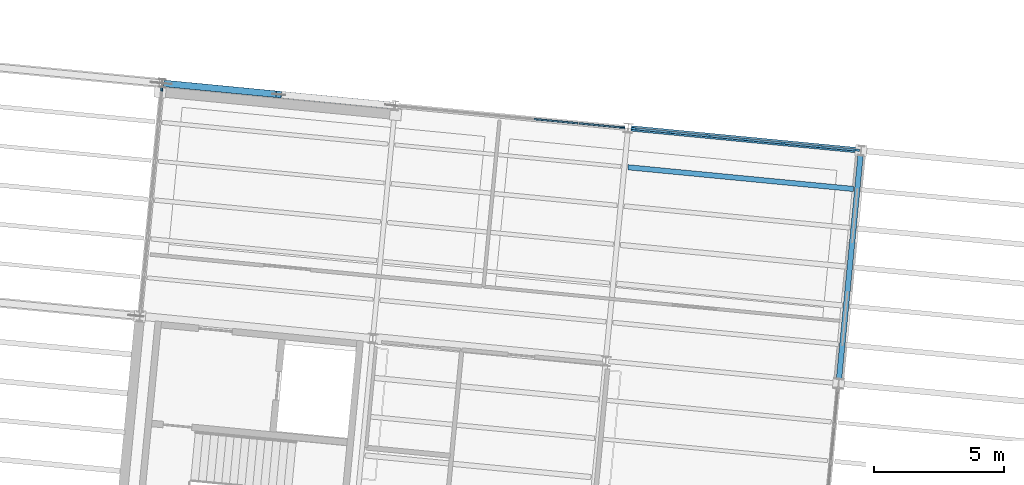
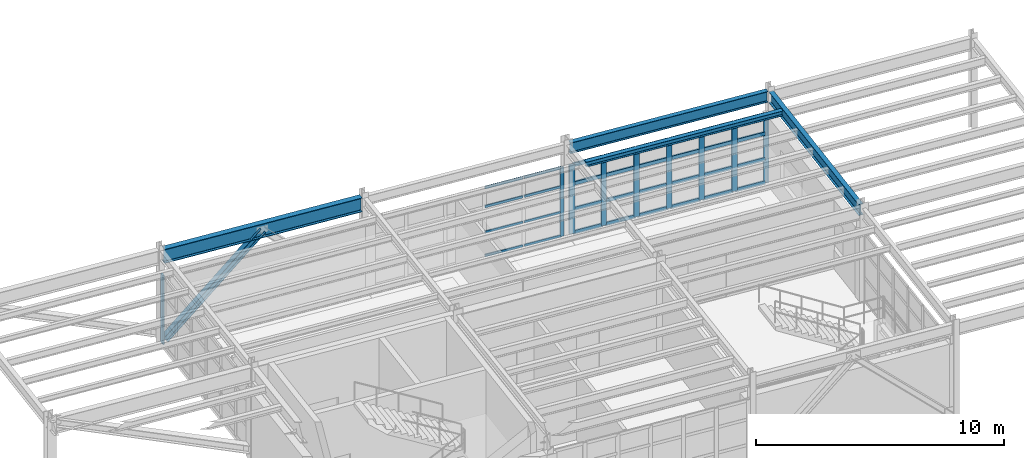
# One storey, part 49 of 109: 42 members, 4 beams, 3 elements without a shape of their own.
"""IFC4 building model written with IfcOpenShell, lengths in metres."""

import ifcopenshell
import ifcopenshell.guid

model = None  # the IFC model being written
_history = None  # IfcOwnerHistory: only IFC2X3 demands one
_inside = {}  # id of a spatial element -> (the spatial element, [elements in it])
_under = {}  # id of a project, library or spatial element -> (it, [spatial elements below it])
_declared = {}  # id of a project -> (the project, [libraries it declares])
_typed = {}  # id of a type object -> (the type object, [elements of that type])
_made_of = {}  # id of a material, layer set ... -> (it, [elements and type objects made of it])


def new_model(schema):
    """Start an empty IFC model of exactly this schema.

    Asked for "IFC4X3", IfcOpenShell would pick the latest addendum, in which some entities
    have other attributes; the version numbers below select the first issue.
    IFC2X3 requires an IfcOwnerHistory on every rooted entity: one is made here for all.
    """
    global model, _history
    if schema == "IFC4X3":
        model = ifcopenshell.file(schema_version=(4, 3, 0, 0))
    else:
        model = ifcopenshell.file(schema=schema)
    _inside.clear()
    _under.clear()
    _declared.clear()
    _typed.clear()
    _made_of.clear()
    _history = None
    if model.schema == "IFC2X3":
        org = make("IfcOrganization", Name="unknown")
        user = make(
            "IfcPersonAndOrganization",
            ThePerson=make("IfcPerson", FamilyName="unknown"),
            TheOrganization=org,
        )
        app = make(
            "IfcApplication",
            ApplicationDeveloper=org,
            Version="unknown",
            ApplicationFullName="unknown",
            ApplicationIdentifier="unknown",
        )
        _history = make(
            "IfcOwnerHistory",
            OwningUser=user,
            OwningApplication=app,
            ChangeAction="ADDED",
            CreationDate=0,
        )
    return model


def make(cls, **values):
    """One entity of the class cls with the attributes given. An attribute that is None is left unset."""
    return model.create_entity(
        cls, **{name: value for name, value in values.items() if value is not None}
    )


def rooted(cls, **values):
    """An entity with a GlobalId (a new one), such as an element, a storey or a relation."""
    return make(cls, GlobalId=ifcopenshell.guid.new(), OwnerHistory=_history, **values)


def si_unit(unit_type, name, prefix=None):
    """IfcSIUnit, for example si_unit("LENGTHUNIT", "METRE", prefix="MILLI")."""
    return make("IfcSIUnit", UnitType=unit_type, Prefix=prefix, Name=name)


def assignment(units):
    """IfcUnitAssignment: the units of a project."""
    return None if units is None else make("IfcUnitAssignment", Units=units)


def point(xyz):
    """IfcCartesianPoint."""
    return None if xyz is None else make("IfcCartesianPoint", Coordinates=xyz)


def direction(xyz):
    """IfcDirection."""
    return None if xyz is None else make("IfcDirection", DirectionRatios=xyz)


def frame(location, z_axis=None, x_axis=None):
    """IfcAxis2Placement3D, a coordinate frame: its origin and axes. An axis left out is left unset."""
    return make(
        "IfcAxis2Placement3D",
        Location=point(location),
        Axis=direction(z_axis),
        RefDirection=direction(x_axis),
    )


def frame_2d(location, x_axis=None):
    """IfcAxis2Placement2D, a coordinate frame in the plane: its origin and x axis."""
    return make(
        "IfcAxis2Placement2D", Location=point(location), RefDirection=direction(x_axis)
    )


def origin():
    """The frame at (0, 0, 0) with its axes left unset."""
    return frame((0.0, 0.0, 0.0))


def origin_2d():
    """The frame at (0, 0) in the plane with its x axis left unset."""
    return frame_2d((0.0, 0.0))


def place(relative_to, where):
    """IfcLocalPlacement: puts the frame where relative to a parent placement (None: the world)."""
    return make(
        "IfcLocalPlacement", PlacementRelTo=relative_to, RelativePlacement=where
    )


def context(
    kind, dimensions, precision=None, world=None, true_north=None, identifier=None
):
    """IfcGeometricRepresentationContext, for example the 3D "Model" context."""
    return make(
        "IfcGeometricRepresentationContext",
        ContextIdentifier=identifier,
        ContextType=kind,
        CoordinateSpaceDimension=dimensions,
        Precision=precision,
        WorldCoordinateSystem=world,
        TrueNorth=true_north,
    )


def subcontext(parent, identifier, kind, view, scale=None):
    """IfcGeometricRepresentationSubContext, for example "Body" below "Model"."""
    return make(
        "IfcGeometricRepresentationSubContext",
        ContextIdentifier=identifier,
        ContextType=kind,
        ParentContext=parent,
        TargetScale=scale,
        TargetView=view,
    )


def project(units=None, contexts=None):
    """IfcProject with its units and contexts."""
    return rooted(
        "IfcProject",
        Name="project",
        RepresentationContexts=contexts,
        UnitsInContext=assignment(units),
    )


def spatial(cls, under=None, at=None, **own):
    """A site, building, storey or space (cls), placed at a placement, below another one or the project."""
    s = rooted(cls, ObjectPlacement=at, **own)
    if under is not None:
        _under.setdefault(under.id(), (under, []))[1].append(s)
    return s


def profile(cls, at=None, kind="AREA", **sizes):
    """A parametric profile (cls). Its sizes go by their IFC names, for example OverallWidth=200.0."""
    return make(cls, ProfileType=kind, Position=at, **sizes)


def rectangle(**sizes):
    """IfcRectangleProfileDef."""
    return profile("IfcRectangleProfileDef", **sizes)


def i_section(**sizes):
    """IfcIShapeProfileDef."""
    return profile("IfcIShapeProfileDef", **sizes)


def extrude(swept, where, along, depth):
    """IfcExtrudedAreaSolid: the profile swept, set in the frame where, extruded along a direction by depth."""
    return make(
        "IfcExtrudedAreaSolid",
        SweptArea=swept,
        Position=where,
        ExtrudedDirection=direction(along),
        Depth=depth,
    )


def shape(context_of_items, identifier, shape_type, items):
    """IfcShapeRepresentation: the items that make up one representation, for example the "Body"."""
    return make(
        "IfcShapeRepresentation",
        ContextOfItems=context_of_items,
        RepresentationIdentifier=identifier,
        RepresentationType=shape_type,
        Items=items,
    )


def material(Name=None, Category=None):
    """IfcMaterial."""
    return make("IfcMaterial", Name=Name, Category=Category)


def layer(
    of_material, thickness, ventilated=None, Name=None, Category=None, Priority=None
):
    """IfcMaterialLayer: one layer of a wall or slab, of a material (None: an air gap)."""
    return make(
        "IfcMaterialLayer",
        Material=of_material,
        LayerThickness=thickness,
        IsVentilated=ventilated,
        Name=Name,
        Category=Category,
        Priority=Priority,
    )


def layer_set(layers, Name=None):
    """IfcMaterialLayerSet."""
    return make("IfcMaterialLayerSet", MaterialLayers=layers, LayerSetName=Name)


def material_profile(
    of_material, cross_section, Name=None, Category=None, Priority=None
):
    """IfcMaterialProfile: a cross section and its material."""
    return make(
        "IfcMaterialProfile",
        Name=Name,
        Material=of_material,
        Profile=cross_section,
        Priority=Priority,
        Category=Category,
    )


def profile_set(profiles, Name=None, composite=None):
    """IfcMaterialProfileSet."""
    return make(
        "IfcMaterialProfileSet",
        Name=Name,
        MaterialProfiles=profiles,
        CompositeProfile=composite,
    )


def made_of(thing, what):
    """Note that an element or type object is made of a material, layer set ...; save() writes the relation."""
    if what is not None:
        _made_of.setdefault(what.id(), (what, []))[1].append(thing)
    return thing


def type_object(cls, material=None, **own):
    """A type object (cls), such as IfcWallType, which elements share."""
    return made_of(rooted(cls, **own), material)


def element(
    cls,
    number,
    at=None,
    inside=None,
    cuts=None,
    type_object=None,
    material=None,
    context=None,
    identifier="Body",
    shape_type=None,
    held_by="IfcProductDefinitionShape",
    body=None,
    shapes=None,
    **own,
):
    """One element of the class cls, such as IfcWall. Its Tag is "e" and its number.

    at: its placement. inside: the storey or other place that contains it. cuts: it is an
    opening in that element (IfcRelVoidsElement). A single representation is given by context,
    identifier, shape_type and body (its items); several are given by shapes. held_by: the class
    of the entity that holds the representations. save() writes the other relations.
    """
    e = rooted(cls, Tag="e%d" % number, ObjectPlacement=at, **own)
    if body is not None:
        shapes = [shape(context, identifier, shape_type, body)]
    if shapes is not None:
        e.Representation = make(held_by, Representations=shapes)
    if inside is not None:
        _inside.setdefault(inside.id(), (inside, []))[1].append(e)
    if cuts is not None:
        rooted(
            "IfcRelVoidsElement", RelatingBuildingElement=cuts, RelatedOpeningElement=e
        )
    if type_object is not None:
        _typed.setdefault(type_object.id(), (type_object, []))[1].append(e)
    return made_of(e, material)


def aggregate(whole, parts):
    """IfcRelAggregates: a whole, such as a stair, and the parts it consists of."""
    return rooted("IfcRelAggregates", RelatingObject=whole, RelatedObjects=parts)


def save(model, path):
    """Write the relations noted so far, then the file.

    IfcRelAggregates (storeys below a building ...), IfcRelContainedInSpatialStructure (elements
    in a storey), IfcRelDefinesByType, IfcRelAssociatesMaterial and IfcRelDeclares: one each for
    every whole, place, type object, material and project.
    """
    for whole, parts in _under.values():
        aggregate(whole, parts)
    for where, things in _inside.values():
        rooted(
            "IfcRelContainedInSpatialStructure",
            RelatedElements=things,
            RelatingStructure=where,
        )
    for kind, things in _typed.values():
        rooted("IfcRelDefinesByType", RelatedObjects=things, RelatingType=kind)
    for what, things in _made_of.values():
        rooted("IfcRelAssociatesMaterial", RelatedObjects=things, RelatingMaterial=what)
    for by, libraries in _declared.values():
        rooted("IfcRelDeclares", RelatingContext=by, RelatedDefinitions=libraries)
    model.write(path)


model = new_model("IFC4")

# Units and contexts
model_context = context("Model", 3, precision=1e-05, world=origin(), true_north=direction((0.0, 1.0)))
body_context = subcontext(model_context, "Body", "Model", "MODEL_VIEW")
ifc_project = project(units=[si_unit("LENGTHUNIT", "METRE"), si_unit("AREAUNIT", "SQUARE_METRE"), si_unit("VOLUMEUNIT", "CUBIC_METRE"), si_unit("PLANEANGLEUNIT", "RADIAN"), si_unit("MASSUNIT", "GRAM", prefix="KILO")], contexts=[model_context])

# Site, building, storey
site_placement = place(None, origin())
site = spatial("IfcSite", under=ifc_project, at=site_placement, CompositionType="ELEMENT")
building_placement = place(site_placement, origin())
building = spatial("IfcBuilding", under=site, at=building_placement, Name="Vireo Bluff Cable Station", CompositionType="ELEMENT")
storey_placement = place(building_placement, frame((0.0, 0.0, 4.800048828125)))
storey = spatial("IfcBuildingStorey", under=building, at=storey_placement, Name="L01", CompositionType="ELEMENT", Elevation=4.800048828125)

# Beam
ifc_material_1 = material(Name="Steel ASTM A992 Gr. 50", Category="steel")
ifc_material_profile_1 = material_profile(ifc_material_1, i_section(OverallWidth=0.2099609375, OverallDepth=0.535888671875, WebThickness=0.010986328125, FlangeThickness=0.017333984375, FilletRadius=0.012939453125, at=origin_2d()), Name="W21X68")
ifc_profile_set_1 = profile_set([ifc_material_profile_1], Name="Steel ASTM A992 Gr. 50")
beam_type_1 = type_object("IfcBeamType", Name="BM-W21X68", PredefinedType="BEAM", material=ifc_profile_set_1)
beam_1_placement = place(storey_placement, frame((95.48779296875, 73.494140625, 4.27197265625), z_axis=(0.095846764416, 0.995396100932, 0.0), x_axis=(-0.995396100932, 0.095846764416, 0.0)))
element("IfcBeam", 1, at=beam_1_placement, inside=storey, type_object=beam_type_1, Name="V3 L01 beam 662", PredefinedType="BEAM", context=body_context, shape_type="SweptSolid", body=[
    extrude(i_section(OverallWidth=0.2099609375, OverallDepth=0.535888671875, WebThickness=0.010986328125, FlangeThickness=0.017333984375, FilletRadius=0.012939453125, at=origin_2d()), origin(), (0.0, 0.0, 1.0), 8.759765625),
])

# Member
ifc_material_profile_2 = material_profile(ifc_material_1, i_section(OverallWidth=0.25390625, OverallDepth=0.305908203125, WebThickness=0.0087890625, FlangeThickness=0.0146484375, FilletRadius=0.010986328125, at=origin_2d()), Name="W12X53")
ifc_profile_set_2 = profile_set([ifc_material_profile_2], Name="Steel ASTM A992 Gr. 50")
member_type_1 = type_object("IfcMemberType", Name="BRC-04", PredefinedType="BRACE", material=ifc_profile_set_2)
member_1_placement = place(storey_placement, frame((69.62255859375, 84.90576171875, 0.0400390625), z_axis=(0.720263828031, -0.069360246565, 0.690224002934), x_axis=(0.095854965264, 0.995395311238, 0.0)))
element("IfcMember", 2, at=member_1_placement, inside=storey, type_object=member_type_1, Name="V3 L01 concentric brace 51L", PredefinedType="BRACE", context=body_context, shape_type="SweptSolid", body=[
    extrude(i_section(OverallWidth=0.25390625, OverallDepth=0.305908203125, WebThickness=0.0087890625, FlangeThickness=0.0146484375, FilletRadius=0.010986328125, at=origin_2d()), origin(), (0.0, 0.0, 1.0), 5.997802734375),
])

# Curtain wall, member
ifc_material_2 = material(Name="Anodized Aluminium 6063-T6", Category="aluminium")
ifc_layer_1 = layer(ifc_material_2, 0.179931640625, Name="Anodized Aluminium 6063-T6")
ifc_layer_set_1 = layer_set([ifc_layer_1], Name="Anodized Aluminium 6063-T6")
curtain_wall_type_1 = type_object("IfcCurtainWallType", Name="CW-UNIT-1500", PredefinedType="USERDEFINED", material=ifc_layer_set_1)
curtain_wall_1_placement = place(storey_placement, origin())
curtain_wall_1 = element("IfcCurtainWall", 3, at=curtain_wall_1_placement, inside=storey, type_object=curtain_wall_type_1, Name="V3 L01 west curtain wall CW-073", ObjectType="UNITISED CURTAIN WALL", PredefinedType="USERDEFINED")
ifc_material_profile_3 = material_profile(ifc_material_2, rectangle(XDim=0.074951171875, YDim=0.2099609375, at=origin_2d()), Name="ALU-M-75X210")
ifc_profile_set_3 = profile_set([ifc_material_profile_3], Name="Anodized Aluminium 6063-T6")
member_type_2 = type_object("IfcMemberType", Name="CWM-02", PredefinedType="MULLION", material=ifc_profile_set_3)
member_2_placement = place(storey_placement, frame((69.444580078125, 84.727294921875, 0.0), z_axis=(0.0, 0.0, 1.0), x_axis=(-0.995396201203, 0.095845723073, 0.0)))
member_2 = element("IfcMember", 4, at=member_2_placement, type_object=member_type_2, Name="CW-073 mullion 7", PredefinedType="MULLION", context=body_context, shape_type="SweptSolid", body=[
    extrude(rectangle(XDim=0.074951171875, YDim=0.2099609375, at=origin_2d()), origin(), (0.0, 0.0, 1.0), 3.39990234375),
])
aggregate(curtain_wall_1, [member_2])

ifc_layer_2 = layer(ifc_material_2, 0.179931640625, Name="Anodized Aluminium 6063-T6")
ifc_layer_set_2 = layer_set([ifc_layer_2], Name="Anodized Aluminium 6063-T6")
curtain_wall_type_2 = type_object("IfcCurtainWallType", Name="CW-UNIT-1650", PredefinedType="USERDEFINED", material=ifc_layer_set_2)
curtain_wall_2_placement = place(storey_placement, origin())
curtain_wall_2 = element("IfcCurtainWall", 5, at=curtain_wall_2_placement, inside=storey, type_object=curtain_wall_type_2, Name="V3 L01 north curtain wall CW-074", ObjectType="UNITISED CURTAIN WALL", PredefinedType="USERDEFINED")
ifc_material_profile_4 = material_profile(ifc_material_2, rectangle(XDim=0.06005859375, YDim=0.159912109375, at=origin_2d()), Name="ALU-M-60X160")
ifc_profile_set_4 = profile_set([ifc_material_profile_4], Name="Anodized Aluminium 6063-T6")
member_type_3 = type_object("IfcMemberType", Name="CWM-03", PredefinedType="MULLION", material=ifc_profile_set_4)
member_3_placement = place(storey_placement, frame((87.16455078125, 83.216552734375, 0.0), z_axis=(0.0, 0.0, 1.0), x_axis=(0.095845775904, 0.995396196116, 0.0)))
member_3 = element("IfcMember", 6, at=member_3_placement, type_object=member_type_3, Name="CW-074 mullion 6", PredefinedType="MULLION", context=body_context, shape_type="SweptSolid", body=[
    extrude(rectangle(XDim=0.06005859375, YDim=0.159912109375, at=origin_2d()), origin(), (0.0, 0.0, 1.0), 3.39990234375),
])

# Curtain wall, members
ifc_layer_3 = layer(ifc_material_2, 0.179931640625, Name="Anodized Aluminium 6063-T6")
ifc_layer_set_3 = layer_set([ifc_layer_3], Name="Anodized Aluminium 6063-T6")
curtain_wall_type_3 = type_object("IfcCurtainWallType", Name="CW-UNIT-1400", PredefinedType="USERDEFINED", material=ifc_layer_set_3)
curtain_wall_3_placement = place(storey_placement, origin())
curtain_wall_3 = element("IfcCurtainWall", 7, at=curtain_wall_3_placement, inside=storey, type_object=curtain_wall_type_3, Name="V3 L01 north curtain wall CW-075", ObjectType="UNITISED CURTAIN WALL", PredefinedType="USERDEFINED")
ifc_material_profile_5 = material_profile(ifc_material_2, rectangle(XDim=0.080078125, YDim=0.239990234375, at=origin_2d()), Name="ALU-M-80X240")
ifc_profile_set_5 = profile_set([ifc_material_profile_5], Name="Anodized Aluminium 6063-T6")
member_type_4 = type_object("IfcMemberType", Name="CWM-04", PredefinedType="MULLION", material=ifc_profile_set_5)
member_4_placement = place(storey_placement, frame((87.6064453125, 83.174072265625, 0.0), z_axis=(0.0, 0.0, 1.0), x_axis=(0.095845786884, 0.995396195058, 0.0)))
member_4 = element("IfcMember", 8, at=member_4_placement, type_object=member_type_4, Name="CW-075 mullion 1", PredefinedType="MULLION", context=body_context, shape_type="SweptSolid", body=[
    extrude(rectangle(XDim=0.080078125, YDim=0.239990234375, at=origin_2d()), origin(), (0.0, 0.0, 1.0), 3.39990234375),
])
member_5_placement = place(storey_placement, frame((89.007080078125, 83.0390625, 0.0), z_axis=(0.0, 0.0, 1.0), x_axis=(0.095845786884, 0.995396195058, 0.0)))
member_5 = element("IfcMember", 9, at=member_5_placement, type_object=member_type_4, Name="CW-075 mullion 2", PredefinedType="MULLION", context=body_context, shape_type="SweptSolid", body=[
    extrude(rectangle(XDim=0.080078125, YDim=0.239990234375, at=origin_2d()), origin(), (0.0, 0.0, 1.0), 3.39990234375),
])
member_6_placement = place(storey_placement, frame((90.447509765625, 82.900390625, 0.0), z_axis=(0.0, 0.0, 1.0), x_axis=(0.095845786884, 0.995396195058, 0.0)))
member_6 = element("IfcMember", 10, at=member_6_placement, type_object=member_type_4, Name="CW-075 mullion 3", PredefinedType="MULLION", context=body_context, shape_type="SweptSolid", body=[
    extrude(rectangle(XDim=0.080078125, YDim=0.239990234375, at=origin_2d()), origin(), (0.0, 0.0, 1.0), 3.39990234375),
])
member_7_placement = place(storey_placement, frame((91.887939453125, 82.76171875, 0.0), z_axis=(0.0, 0.0, 1.0), x_axis=(0.095845786884, 0.995396195058, 0.0)))
member_7 = element("IfcMember", 11, at=member_7_placement, type_object=member_type_4, Name="CW-075 mullion 4", PredefinedType="MULLION", context=body_context, shape_type="SweptSolid", body=[
    extrude(rectangle(XDim=0.080078125, YDim=0.239990234375, at=origin_2d()), origin(), (0.0, 0.0, 1.0), 3.39990234375),
])
member_8_placement = place(storey_placement, frame((93.328369140625, 82.623046875, 0.0), z_axis=(0.0, 0.0, 1.0), x_axis=(0.095845786884, 0.995396195058, 0.0)))
member_8 = element("IfcMember", 12, at=member_8_placement, type_object=member_type_4, Name="CW-075 mullion 5", PredefinedType="MULLION", context=body_context, shape_type="SweptSolid", body=[
    extrude(rectangle(XDim=0.080078125, YDim=0.239990234375, at=origin_2d()), origin(), (0.0, 0.0, 1.0), 3.39990234375),
])
member_9_placement = place(storey_placement, frame((94.768798828125, 82.484375, 0.0), z_axis=(0.0, 0.0, 1.0), x_axis=(0.095845786884, 0.995396195058, 0.0)))
member_9 = element("IfcMember", 13, at=member_9_placement, type_object=member_type_4, Name="CW-075 mullion 6", PredefinedType="MULLION", context=body_context, shape_type="SweptSolid", body=[
    extrude(rectangle(XDim=0.080078125, YDim=0.239990234375, at=origin_2d()), origin(), (0.0, 0.0, 1.0), 3.39990234375),
])
member_10_placement = place(storey_placement, frame((96.169189453125, 82.349609375, 0.0), z_axis=(0.0, 0.0, 1.0), x_axis=(0.095845786884, 0.995396195058, 0.0)))
member_10 = element("IfcMember", 14, at=member_10_placement, type_object=member_type_4, Name="CW-075 mullion 7", PredefinedType="MULLION", context=body_context, shape_type="SweptSolid", body=[
    extrude(rectangle(XDim=0.080078125, YDim=0.239990234375, at=origin_2d()), origin(), (0.0, 0.0, 1.0), 3.39990234375),
])

# Member
ifc_material_profile_6 = material_profile(ifc_material_2, rectangle(XDim=0.06005859375, YDim=0.1201171875, at=origin_2d()), Name="ALU-T-60X120")
ifc_profile_set_6 = profile_set([ifc_material_profile_6], Name="Anodized Aluminium 6063-T6")
member_type_5 = type_object("IfcMemberType", Name="CWT-03", PredefinedType="USERDEFINED", material=ifc_profile_set_6)
member_11_placement = place(storey_placement, frame((83.76708984375, 83.543701171875, 0.030029296875), z_axis=(0.99539941982, -0.095812290556, 0.0), x_axis=(0.095812290556, 0.99539941982, 0.0)))
member_11 = element("IfcMember", 15, at=member_11_placement, type_object=member_type_5, Name="CW-074 transom 4.1", ObjectType="TRANSOM", PredefinedType="USERDEFINED", context=body_context, shape_type="SweptSolid", body=[
    extrude(rectangle(XDim=0.06005859375, YDim=0.1201171875, at=origin_2d()), origin(), (0.0, 0.0, 1.0), 1.6767578125),
])

member_12_placement = place(storey_placement, frame((83.76708984375, 83.543701171875, 1.18994140625), z_axis=(0.99539941982, -0.095812290556, 0.0), x_axis=(0.095812290556, 0.99539941982, 0.0)))
member_12 = element("IfcMember", 16, at=member_12_placement, type_object=member_type_5, Name="CW-074 transom 4.2", ObjectType="TRANSOM", PredefinedType="USERDEFINED", context=body_context, shape_type="SweptSolid", body=[
    extrude(rectangle(XDim=0.06005859375, YDim=0.1201171875, at=origin_2d()), origin(), (0.0, 0.0, 1.0), 1.6767578125),
])

member_13_placement = place(storey_placement, frame((83.76708984375, 83.543701171875, 2.447998046875), z_axis=(0.99539941982, -0.095812290556, 0.0), x_axis=(0.095812290556, 0.99539941982, 0.0)))
member_13 = element("IfcMember", 17, at=member_13_placement, type_object=member_type_5, Name="CW-074 transom 4.3", ObjectType="TRANSOM", PredefinedType="USERDEFINED", context=body_context, shape_type="SweptSolid", body=[
    extrude(rectangle(XDim=0.06005859375, YDim=0.1201171875, at=origin_2d()), origin(), (0.0, 0.0, 1.0), 1.6767578125),
])

member_14_placement = place(storey_placement, frame((83.76708984375, 83.543701171875, 3.369873046875), z_axis=(0.99539941982, -0.095812290556, 0.0), x_axis=(0.095812290556, 0.99539941982, 0.0)))
member_14 = element("IfcMember", 18, at=member_14_placement, type_object=member_type_5, Name="CW-074 transom 4.4", ObjectType="TRANSOM", PredefinedType="USERDEFINED", context=body_context, shape_type="SweptSolid", body=[
    extrude(rectangle(XDim=0.06005859375, YDim=0.1201171875, at=origin_2d()), origin(), (0.0, 0.0, 1.0), 1.6767578125),
])

member_15_placement = place(storey_placement, frame((85.49560546875, 83.377197265625, 0.030029296875), z_axis=(0.995401690977, -0.095788692443, 0.0), x_axis=(0.095788692443, 0.995401690977, 0.0)))
member_15 = element("IfcMember", 19, at=member_15_placement, type_object=member_type_5, Name="CW-074 transom 5.1", ObjectType="TRANSOM", PredefinedType="USERDEFINED", context=body_context, shape_type="SweptSolid", body=[
    extrude(rectangle(XDim=0.06005859375, YDim=0.1201171875, at=origin_2d()), origin(), (0.0, 0.0, 1.0), 1.646484375),
])

member_16_placement = place(storey_placement, frame((85.49560546875, 83.377197265625, 1.18994140625), z_axis=(0.995401690977, -0.095788692443, 0.0), x_axis=(0.095788692443, 0.995401690977, 0.0)))
member_16 = element("IfcMember", 20, at=member_16_placement, type_object=member_type_5, Name="CW-074 transom 5.2", ObjectType="TRANSOM", PredefinedType="USERDEFINED", context=body_context, shape_type="SweptSolid", body=[
    extrude(rectangle(XDim=0.06005859375, YDim=0.1201171875, at=origin_2d()), origin(), (0.0, 0.0, 1.0), 1.646484375),
])

member_17_placement = place(storey_placement, frame((85.49560546875, 83.377197265625, 2.447998046875), z_axis=(0.995401690977, -0.095788692443, 0.0), x_axis=(0.095788692443, 0.995401690977, 0.0)))
member_17 = element("IfcMember", 21, at=member_17_placement, type_object=member_type_5, Name="CW-074 transom 5.3", ObjectType="TRANSOM", PredefinedType="USERDEFINED", context=body_context, shape_type="SweptSolid", body=[
    extrude(rectangle(XDim=0.06005859375, YDim=0.1201171875, at=origin_2d()), origin(), (0.0, 0.0, 1.0), 1.646484375),
])

member_18_placement = place(storey_placement, frame((85.49560546875, 83.377197265625, 3.369873046875), z_axis=(0.995401690977, -0.095788692443, 0.0), x_axis=(0.095788692443, 0.995401690977, 0.0)))
member_18 = element("IfcMember", 22, at=member_18_placement, type_object=member_type_5, Name="CW-074 transom 5.4", ObjectType="TRANSOM", PredefinedType="USERDEFINED", context=body_context, shape_type="SweptSolid", body=[
    extrude(rectangle(XDim=0.06005859375, YDim=0.1201171875, at=origin_2d()), origin(), (0.0, 0.0, 1.0), 1.646484375),
])

aggregate(curtain_wall_2, [member_3, member_11, member_12, member_13, member_14, member_15, member_16, member_17, member_18])

ifc_material_profile_7 = material_profile(ifc_material_2, rectangle(XDim=0.080078125, YDim=0.175048828125, at=origin_2d()), Name="ALU-T-80X175")
ifc_profile_set_7 = profile_set([ifc_material_profile_7], Name="Anodized Aluminium 6063-T6")
member_type_6 = type_object("IfcMemberType", Name="CWT-04", PredefinedType="USERDEFINED", material=ifc_profile_set_7)
member_19_placement = place(storey_placement, frame((87.646240234375, 83.170166015625, 0.0400390625), z_axis=(0.995396550067, -0.095842099905, 0.0), x_axis=(0.095842099905, 0.995396550067, 0.0)))
member_19 = element("IfcMember", 23, at=member_19_placement, type_object=member_type_6, Name="CW-075 transom 1.1", ObjectType="TRANSOM", PredefinedType="USERDEFINED", context=body_context, shape_type="SweptSolid", body=[
    extrude(rectangle(XDim=0.080078125, YDim=0.175048828125, at=origin_2d()), origin(), (0.0, 0.0, 1.0), 1.3271484375),
])

member_20_placement = place(storey_placement, frame((87.646240234375, 83.170166015625, 1.18994140625), z_axis=(0.995396550067, -0.095842099905, 0.0), x_axis=(0.095842099905, 0.995396550067, 0.0)))
member_20 = element("IfcMember", 24, at=member_20_placement, type_object=member_type_6, Name="CW-075 transom 1.2", ObjectType="TRANSOM", PredefinedType="USERDEFINED", context=body_context, shape_type="SweptSolid", body=[
    extrude(rectangle(XDim=0.080078125, YDim=0.175048828125, at=origin_2d()), origin(), (0.0, 0.0, 1.0), 1.3271484375),
])

member_21_placement = place(storey_placement, frame((87.646240234375, 83.170166015625, 2.447998046875), z_axis=(0.995396550067, -0.095842099905, 0.0), x_axis=(0.095842099905, 0.995396550067, 0.0)))
member_21 = element("IfcMember", 25, at=member_21_placement, type_object=member_type_6, Name="CW-075 transom 1.3", ObjectType="TRANSOM", PredefinedType="USERDEFINED", context=body_context, shape_type="SweptSolid", body=[
    extrude(rectangle(XDim=0.080078125, YDim=0.175048828125, at=origin_2d()), origin(), (0.0, 0.0, 1.0), 1.3271484375),
])

member_22_placement = place(storey_placement, frame((87.646240234375, 83.170166015625, 3.35986328125), z_axis=(0.995396550067, -0.095842099905, 0.0), x_axis=(0.095842099905, 0.995396550067, 0.0)))
member_22 = element("IfcMember", 26, at=member_22_placement, type_object=member_type_6, Name="CW-075 transom 1.4", ObjectType="TRANSOM", PredefinedType="USERDEFINED", context=body_context, shape_type="SweptSolid", body=[
    extrude(rectangle(XDim=0.080078125, YDim=0.175048828125, at=origin_2d()), origin(), (0.0, 0.0, 1.0), 1.3271484375),
])

member_23_placement = place(storey_placement, frame((89.046875, 83.035400390625, 0.0400390625), z_axis=(0.995391344152, -0.095896152101, 0.0), x_axis=(0.095896152101, 0.995391344152, 0.0)))
member_23 = element("IfcMember", 27, at=member_23_placement, type_object=member_type_6, Name="CW-075 transom 2.1", ObjectType="TRANSOM", PredefinedType="USERDEFINED", context=body_context, shape_type="SweptSolid", body=[
    extrude(rectangle(XDim=0.080078125, YDim=0.175048828125, at=origin_2d()), origin(), (0.0, 0.0, 1.0), 1.3671875),
])

member_24_placement = place(storey_placement, frame((89.046875, 83.035400390625, 1.18994140625), z_axis=(0.995391344152, -0.095896152101, 0.0), x_axis=(0.095896152101, 0.995391344152, 0.0)))
member_24 = element("IfcMember", 28, at=member_24_placement, type_object=member_type_6, Name="CW-075 transom 2.2", ObjectType="TRANSOM", PredefinedType="USERDEFINED", context=body_context, shape_type="SweptSolid", body=[
    extrude(rectangle(XDim=0.080078125, YDim=0.175048828125, at=origin_2d()), origin(), (0.0, 0.0, 1.0), 1.3671875),
])

member_25_placement = place(storey_placement, frame((89.046875, 83.035400390625, 2.447998046875), z_axis=(0.995391344152, -0.095896152101, 0.0), x_axis=(0.095896152101, 0.995391344152, 0.0)))
member_25 = element("IfcMember", 29, at=member_25_placement, type_object=member_type_6, Name="CW-075 transom 2.3", ObjectType="TRANSOM", PredefinedType="USERDEFINED", context=body_context, shape_type="SweptSolid", body=[
    extrude(rectangle(XDim=0.080078125, YDim=0.175048828125, at=origin_2d()), origin(), (0.0, 0.0, 1.0), 1.3671875),
])

member_26_placement = place(storey_placement, frame((89.046875, 83.035400390625, 3.35986328125), z_axis=(0.995391344152, -0.095896152101, 0.0), x_axis=(0.095896152101, 0.995391344152, 0.0)))
member_26 = element("IfcMember", 30, at=member_26_placement, type_object=member_type_6, Name="CW-075 transom 2.4", ObjectType="TRANSOM", PredefinedType="USERDEFINED", context=body_context, shape_type="SweptSolid", body=[
    extrude(rectangle(XDim=0.080078125, YDim=0.175048828125, at=origin_2d()), origin(), (0.0, 0.0, 1.0), 1.3671875),
])

member_27_placement = place(storey_placement, frame((90.4873046875, 82.896728515625, 0.0400390625), z_axis=(0.995391344152, -0.095896152101, 0.0), x_axis=(0.095896152101, 0.995391344152, 0.0)))
member_27 = element("IfcMember", 31, at=member_27_placement, type_object=member_type_6, Name="CW-075 transom 3.1", ObjectType="TRANSOM", PredefinedType="USERDEFINED", context=body_context, shape_type="SweptSolid", body=[
    extrude(rectangle(XDim=0.080078125, YDim=0.175048828125, at=origin_2d()), origin(), (0.0, 0.0, 1.0), 1.3671875),
])

member_28_placement = place(storey_placement, frame((90.4873046875, 82.896728515625, 1.18994140625), z_axis=(0.995391344152, -0.095896152101, 0.0), x_axis=(0.095896152101, 0.995391344152, 0.0)))
member_28 = element("IfcMember", 32, at=member_28_placement, type_object=member_type_6, Name="CW-075 transom 3.2", ObjectType="TRANSOM", PredefinedType="USERDEFINED", context=body_context, shape_type="SweptSolid", body=[
    extrude(rectangle(XDim=0.080078125, YDim=0.175048828125, at=origin_2d()), origin(), (0.0, 0.0, 1.0), 1.3671875),
])

member_29_placement = place(storey_placement, frame((90.4873046875, 82.896728515625, 2.447998046875), z_axis=(0.995391344152, -0.095896152101, 0.0), x_axis=(0.095896152101, 0.995391344152, 0.0)))
member_29 = element("IfcMember", 33, at=member_29_placement, type_object=member_type_6, Name="CW-075 transom 3.3", ObjectType="TRANSOM", PredefinedType="USERDEFINED", context=body_context, shape_type="SweptSolid", body=[
    extrude(rectangle(XDim=0.080078125, YDim=0.175048828125, at=origin_2d()), origin(), (0.0, 0.0, 1.0), 1.3671875),
])

member_30_placement = place(storey_placement, frame((90.4873046875, 82.896728515625, 3.35986328125), z_axis=(0.995391344152, -0.095896152101, 0.0), x_axis=(0.095896152101, 0.995391344152, 0.0)))
member_30 = element("IfcMember", 34, at=member_30_placement, type_object=member_type_6, Name="CW-075 transom 3.4", ObjectType="TRANSOM", PredefinedType="USERDEFINED", context=body_context, shape_type="SweptSolid", body=[
    extrude(rectangle(XDim=0.080078125, YDim=0.175048828125, at=origin_2d()), origin(), (0.0, 0.0, 1.0), 1.3671875),
])

member_31_placement = place(storey_placement, frame((91.927734375, 82.758056640625, 0.0400390625), z_axis=(0.995391344152, -0.095896152101, 0.0), x_axis=(0.095896152101, 0.995391344152, 0.0)))
member_31 = element("IfcMember", 35, at=member_31_placement, type_object=member_type_6, Name="CW-075 transom 4.1", ObjectType="TRANSOM", PredefinedType="USERDEFINED", context=body_context, shape_type="SweptSolid", body=[
    extrude(rectangle(XDim=0.080078125, YDim=0.175048828125, at=origin_2d()), origin(), (0.0, 0.0, 1.0), 1.3671875),
])

member_32_placement = place(storey_placement, frame((91.927734375, 82.758056640625, 1.18994140625), z_axis=(0.995391344152, -0.095896152101, 0.0), x_axis=(0.095896152101, 0.995391344152, 0.0)))
member_32 = element("IfcMember", 36, at=member_32_placement, type_object=member_type_6, Name="CW-075 transom 4.2", ObjectType="TRANSOM", PredefinedType="USERDEFINED", context=body_context, shape_type="SweptSolid", body=[
    extrude(rectangle(XDim=0.080078125, YDim=0.175048828125, at=origin_2d()), origin(), (0.0, 0.0, 1.0), 1.3671875),
])

member_33_placement = place(storey_placement, frame((91.927734375, 82.758056640625, 2.447998046875), z_axis=(0.995391344152, -0.095896152101, 0.0), x_axis=(0.095896152101, 0.995391344152, 0.0)))
member_33 = element("IfcMember", 37, at=member_33_placement, type_object=member_type_6, Name="CW-075 transom 4.3", ObjectType="TRANSOM", PredefinedType="USERDEFINED", context=body_context, shape_type="SweptSolid", body=[
    extrude(rectangle(XDim=0.080078125, YDim=0.175048828125, at=origin_2d()), origin(), (0.0, 0.0, 1.0), 1.3671875),
])

member_34_placement = place(storey_placement, frame((91.927734375, 82.758056640625, 3.35986328125), z_axis=(0.995391344152, -0.095896152101, 0.0), x_axis=(0.095896152101, 0.995391344152, 0.0)))
member_34 = element("IfcMember", 38, at=member_34_placement, type_object=member_type_6, Name="CW-075 transom 4.4", ObjectType="TRANSOM", PredefinedType="USERDEFINED", context=body_context, shape_type="SweptSolid", body=[
    extrude(rectangle(XDim=0.080078125, YDim=0.175048828125, at=origin_2d()), origin(), (0.0, 0.0, 1.0), 1.3671875),
])

member_35_placement = place(storey_placement, frame((93.3681640625, 82.619140625, 0.0400390625), z_axis=(0.995406738074, -0.095736230326, 0.0), x_axis=(0.095736230326, 0.995406738074, 0.0)))
member_35 = element("IfcMember", 39, at=member_35_placement, type_object=member_type_6, Name="CW-075 transom 5.1", ObjectType="TRANSOM", PredefinedType="USERDEFINED", context=body_context, shape_type="SweptSolid", body=[
    extrude(rectangle(XDim=0.080078125, YDim=0.175048828125, at=origin_2d()), origin(), (0.0, 0.0, 1.0), 1.366943359375),
])

member_36_placement = place(storey_placement, frame((93.3681640625, 82.619140625, 1.18994140625), z_axis=(0.995406738074, -0.095736230326, 0.0), x_axis=(0.095736230326, 0.995406738074, 0.0)))
member_36 = element("IfcMember", 40, at=member_36_placement, type_object=member_type_6, Name="CW-075 transom 5.2", ObjectType="TRANSOM", PredefinedType="USERDEFINED", context=body_context, shape_type="SweptSolid", body=[
    extrude(rectangle(XDim=0.080078125, YDim=0.175048828125, at=origin_2d()), origin(), (0.0, 0.0, 1.0), 1.366943359375),
])

member_37_placement = place(storey_placement, frame((93.3681640625, 82.619140625, 2.447998046875), z_axis=(0.995406738074, -0.095736230326, 0.0), x_axis=(0.095736230326, 0.995406738074, 0.0)))
member_37 = element("IfcMember", 41, at=member_37_placement, type_object=member_type_6, Name="CW-075 transom 5.3", ObjectType="TRANSOM", PredefinedType="USERDEFINED", context=body_context, shape_type="SweptSolid", body=[
    extrude(rectangle(XDim=0.080078125, YDim=0.175048828125, at=origin_2d()), origin(), (0.0, 0.0, 1.0), 1.366943359375),
])

member_38_placement = place(storey_placement, frame((93.3681640625, 82.619140625, 3.35986328125), z_axis=(0.995406738074, -0.095736230326, 0.0), x_axis=(0.095736230326, 0.995406738074, 0.0)))
member_38 = element("IfcMember", 42, at=member_38_placement, type_object=member_type_6, Name="CW-075 transom 5.4", ObjectType="TRANSOM", PredefinedType="USERDEFINED", context=body_context, shape_type="SweptSolid", body=[
    extrude(rectangle(XDim=0.080078125, YDim=0.175048828125, at=origin_2d()), origin(), (0.0, 0.0, 1.0), 1.366943359375),
])

member_39_placement = place(storey_placement, frame((94.80859375, 82.48046875, 0.0400390625), z_axis=(0.995394859819, -0.095859652859, 0.0), x_axis=(0.095859652859, 0.995394859819, 0.0)))
member_39 = element("IfcMember", 43, at=member_39_placement, type_object=member_type_6, Name="CW-075 transom 6.1", ObjectType="TRANSOM", PredefinedType="USERDEFINED", context=body_context, shape_type="SweptSolid", body=[
    extrude(rectangle(XDim=0.080078125, YDim=0.175048828125, at=origin_2d()), origin(), (0.0, 0.0, 1.0), 1.326904296875),
])

member_40_placement = place(storey_placement, frame((94.80859375, 82.48046875, 1.18994140625), z_axis=(0.995394859819, -0.095859652859, 0.0), x_axis=(0.095859652859, 0.995394859819, 0.0)))
member_40 = element("IfcMember", 44, at=member_40_placement, type_object=member_type_6, Name="CW-075 transom 6.2", ObjectType="TRANSOM", PredefinedType="USERDEFINED", context=body_context, shape_type="SweptSolid", body=[
    extrude(rectangle(XDim=0.080078125, YDim=0.175048828125, at=origin_2d()), origin(), (0.0, 0.0, 1.0), 1.326904296875),
])

member_41_placement = place(storey_placement, frame((94.80859375, 82.48046875, 2.447998046875), z_axis=(0.995394859819, -0.095859652859, 0.0), x_axis=(0.095859652859, 0.995394859819, 0.0)))
member_41 = element("IfcMember", 45, at=member_41_placement, type_object=member_type_6, Name="CW-075 transom 6.3", ObjectType="TRANSOM", PredefinedType="USERDEFINED", context=body_context, shape_type="SweptSolid", body=[
    extrude(rectangle(XDim=0.080078125, YDim=0.175048828125, at=origin_2d()), origin(), (0.0, 0.0, 1.0), 1.326904296875),
])

member_42_placement = place(storey_placement, frame((94.80859375, 82.48046875, 3.35986328125), z_axis=(0.995394859819, -0.095859652859, 0.0), x_axis=(0.095859652859, 0.995394859819, 0.0)))
member_42 = element("IfcMember", 46, at=member_42_placement, type_object=member_type_6, Name="CW-075 transom 6.4", ObjectType="TRANSOM", PredefinedType="USERDEFINED", context=body_context, shape_type="SweptSolid", body=[
    extrude(rectangle(XDim=0.080078125, YDim=0.175048828125, at=origin_2d()), origin(), (0.0, 0.0, 1.0), 1.326904296875),
])

aggregate(curtain_wall_3, [member_4, member_5, member_6, member_7, member_8, member_9, member_10, member_19, member_20, member_21, member_22, member_23, member_24, member_25, member_26, member_27, member_28, member_29, member_30, member_31, member_32, member_33, member_34, member_35, member_36, member_37, member_38, member_39, member_40, member_41, member_42])

# Beams
ifc_material_profile_8 = material_profile(ifc_material_1, i_section(OverallWidth=0.201904296875, OverallDepth=0.2470703125, WebThickness=0.00732421875, FlangeThickness=0.010986328125, FilletRadius=0.009033203125, at=origin_2d()), Name="W10X33")
ifc_profile_set_8 = profile_set([ifc_material_profile_8], Name="Steel ASTM A992 Gr. 50")
beam_type_2 = type_object("IfcBeamType", Name="JST-W10X33", PredefinedType="JOIST", material=ifc_profile_set_8)
beam_2_placement = place(storey_placement, frame((87.3759765625, 81.689208984375, 4.41650390625), z_axis=(0.995397172011, -0.095835640306, 0.0), x_axis=(0.095835640306, 0.995397172011, 0.0)))
element("IfcBeam", 47, at=beam_2_placement, inside=storey, type_object=beam_type_2, Name="V3 L01 composite joist 686", PredefinedType="JOIST", context=body_context, shape_type="SweptSolid", body=[
    extrude(i_section(OverallWidth=0.201904296875, OverallDepth=0.2470703125, WebThickness=0.00732421875, FlangeThickness=0.010986328125, FilletRadius=0.009033203125, at=origin_2d()), origin(), (0.0, 0.0, 1.0), 8.719970703125),
])
ifc_material_profile_9 = material_profile(ifc_material_1, i_section(OverallWidth=0.2099609375, OverallDepth=0.535888671875, WebThickness=0.010986328125, FlangeThickness=0.017333984375, FilletRadius=0.012939453125, at=origin_2d()), Name="W21X68")
ifc_profile_set_9 = profile_set([ifc_material_profile_9], Name="Steel ASTM A992 Gr. 50")
beam_type_3 = type_object("IfcBeamType", Name="SPN-W21X68", PredefinedType="SPANDREL", material=ifc_profile_set_9)
beam_3_placement = place(storey_placement, frame((87.5, 83.184326171875, 4.27197265625), z_axis=(0.995396100932, -0.095846764416, 0.0), x_axis=(0.095846764416, 0.995396100932, 0.0)))
element("IfcBeam", 48, at=beam_3_placement, inside=storey, type_object=beam_type_3, Name="V3 L01 spandrel 653", PredefinedType="SPANDREL", context=body_context, shape_type="SweptSolid", body=[
    extrude(i_section(OverallWidth=0.2099609375, OverallDepth=0.535888671875, WebThickness=0.010986328125, FlangeThickness=0.017333984375, FilletRadius=0.012939453125, at=origin_2d()), origin(), (0.0, 0.0, 1.0), 8.759765625),
])
ifc_material_profile_10 = material_profile(ifc_material_1, i_section(OverallWidth=0.257080078125, OverallDepth=0.693115234375, WebThickness=0.014404296875, FlangeThickness=0.023681640625, FilletRadius=0.014892578125, at=origin_2d()), Name="W27X114")
ifc_profile_set_10 = profile_set([ifc_material_profile_10], Name="Steel ASTM A992 Gr. 50")
beam_type_4 = type_object("IfcBeamType", Name="SPN-W27X114", PredefinedType="SPANDREL", material=ifc_profile_set_10)
beam_4_placement = place(storey_placement, frame((69.582763671875, 84.909423828125, 4.193359375), z_axis=(0.995396356957, -0.095844105487, 0.0), x_axis=(0.095844105487, 0.995396356957, 0.0)))
element("IfcBeam", 49, at=beam_4_placement, inside=storey, type_object=beam_type_4, Name="V3 L01 spandrel 651", PredefinedType="SPANDREL", context=body_context, shape_type="SweptSolid", body=[
    extrude(i_section(OverallWidth=0.257080078125, OverallDepth=0.693115234375, WebThickness=0.014404296875, FlangeThickness=0.023681640625, FilletRadius=0.014892578125, at=origin_2d()), origin(), (0.0, 0.0, 1.0), 8.760009765625),
])

save(model, "model.ifc")
